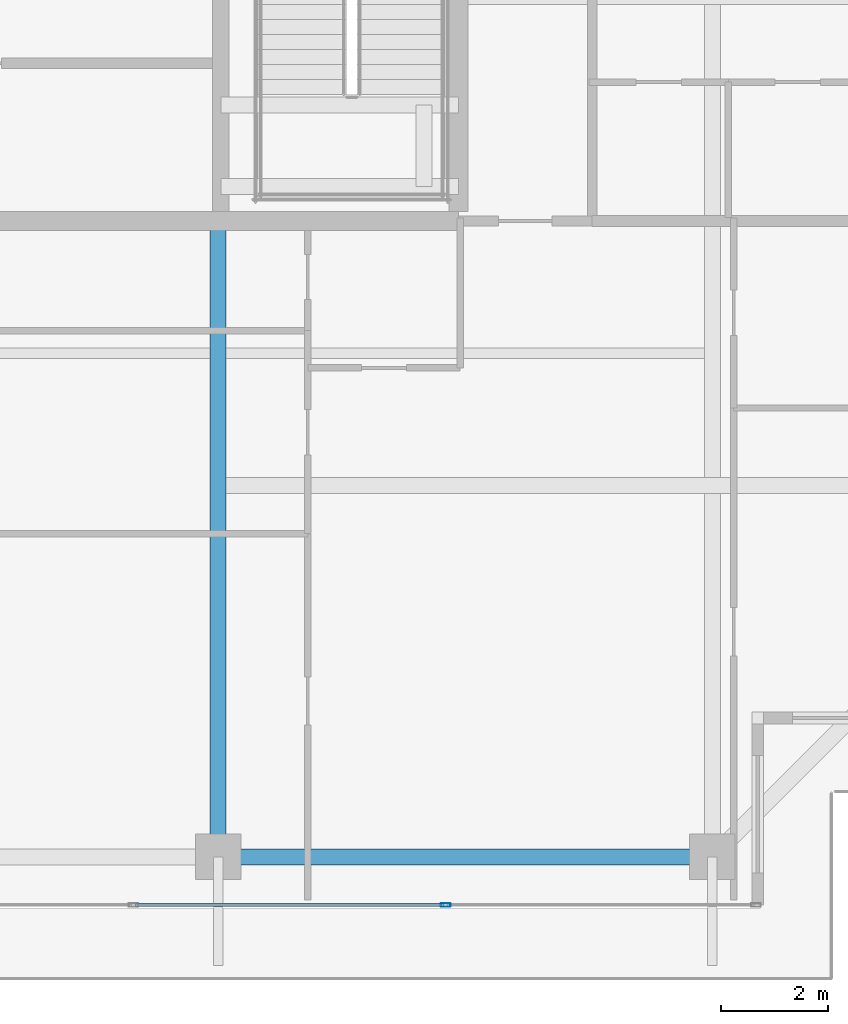
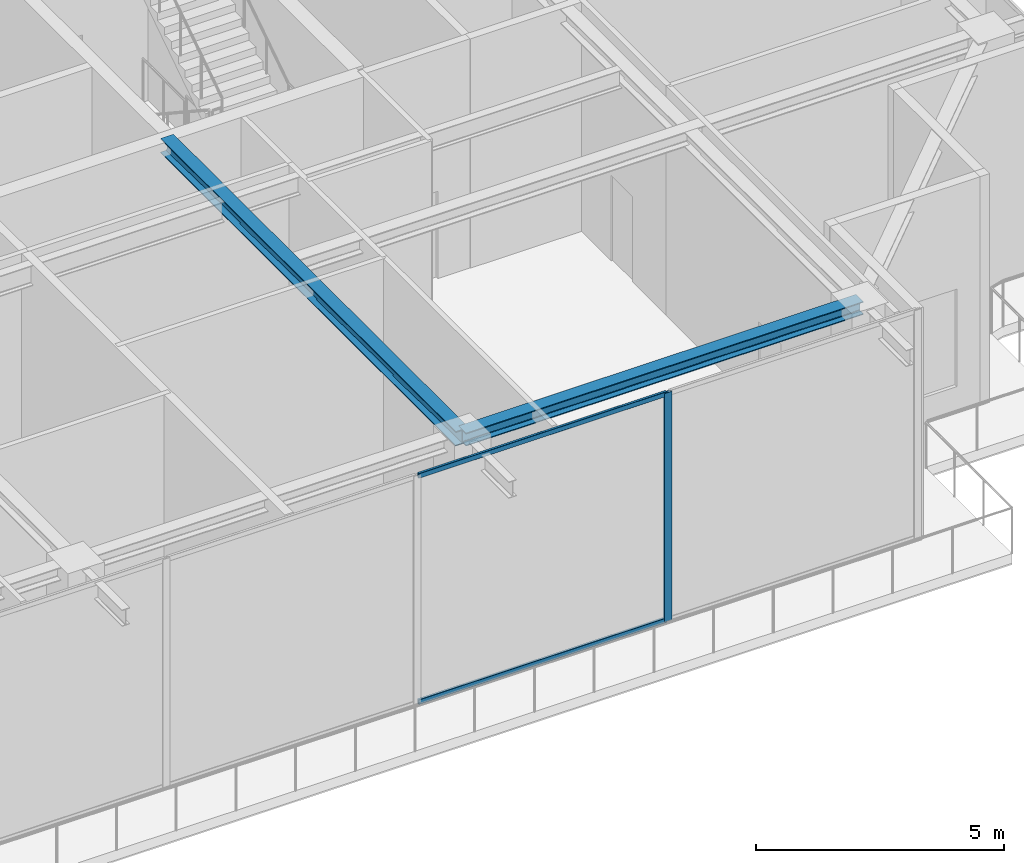
# One storey, part 7 of 40: 3 members, 2 beams, 1 element without a shape of its own.
"""IFC4 building model written with IfcOpenShell, lengths in metres."""

from ifc_helpers import new_model, si_unit, direction, frame, origin, origin_2d, place, context, subcontext, project, spatial, hollow_rectangle, i_section, extrude, source, transform, mapped, material, layer, layer_set, material_profile, profile_set, type_object, element, aggregate, save


model = new_model("IFC4")

# Units and contexts
model_context = context("Model", 3, precision=1e-05, world=origin(), true_north=direction((0.0, 1.0)))
body_context = subcontext(model_context, "Body", "Model", "MODEL_VIEW")
ifc_project = project(units=[si_unit("LENGTHUNIT", "METRE"), si_unit("AREAUNIT", "SQUARE_METRE"), si_unit("VOLUMEUNIT", "CUBIC_METRE"), si_unit("PLANEANGLEUNIT", "RADIAN"), si_unit("MASSUNIT", "GRAM", prefix="KILO")], contexts=[model_context])

# Site, building, storey
site_placement = place(None, origin())
site = spatial("IfcSite", under=ifc_project, at=site_placement, CompositionType="ELEMENT")
building_placement = place(site_placement, origin())
building = spatial("IfcBuilding", under=site, at=building_placement, Name="Serunith Strait Residences", CompositionType="ELEMENT")
storey_placement = place(building_placement, frame((0.0, 0.0, 347.949951171875)))
storey = spatial("IfcBuildingStorey", under=building, at=storey_placement, Name="L86", CompositionType="ELEMENT", Elevation=347.949951171875)

# Beams
ifc_material_1 = material(Name="Steel S355J2", Category="steel")
ifc_material_profile_1 = material_profile(ifc_material_1, i_section(OverallWidth=0.300048828125, OverallDepth=0.360107421875, WebThickness=0.012451171875, FlangeThickness=0.0224609375, FilletRadius=0.027099609375, at=origin_2d()), Name="HEB 360")
ifc_profile_set_1 = profile_set([ifc_material_profile_1], Name="Steel S355J2")
beam_type_1 = type_object("IfcBeamType", Name="BM-HEB360", PredefinedType="BEAM", material=ifc_profile_set_1)
shared_shape_1 = source(origin(), body_context, "Body", "SweptSolid", [
    extrude(i_section(OverallWidth=0.300048828125, OverallDepth=0.360107421875, WebThickness=0.012451171875, FlangeThickness=0.0224609375, FilletRadius=0.027099609375, at=origin_2d()), origin(), (0.0, 0.0, 1.0), 11.900146484375),
])
beam_1_placement = place(storey_placement, frame((36.89990234375, 16.800048828125, 5.45703125), z_axis=(0.0, -1.0, 0.0), x_axis=(1.0, 0.0, 0.0)))
element("IfcBeam", 1, at=beam_1_placement, inside=storey, type_object=beam_type_1, Name="L86 Primary Floor Girder TC-S3", PredefinedType="BEAM", context=body_context, shape_type="MappedRepresentation", body=[
    mapped(shared_shape_1, transform((0.0, 0.0, 0.0), scale=1.0)),
])
ifc_material_profile_2 = material_profile(ifc_material_1, i_section(OverallWidth=0.300048828125, OverallDepth=0.320068359375, WebThickness=0.011474609375, FlangeThickness=0.0205078125, FilletRadius=0.027099609375, at=origin_2d()), Name="HEB 320")
ifc_profile_set_2 = profile_set([ifc_material_profile_2], Name="Steel S355J2")
beam_type_2 = type_object("IfcBeamType", Name="BM-HEB320", PredefinedType="BEAM", material=ifc_profile_set_2)
shared_shape_2 = source(origin(), body_context, "Body", "SweptSolid", [
    extrude(i_section(OverallWidth=0.300048828125, OverallDepth=0.320068359375, WebThickness=0.011474609375, FlangeThickness=0.0205078125, FilletRadius=0.027099609375, at=origin_2d()), origin(), (0.0, 0.0, 1.0), 9.25),
])
beam_2_placement = place(storey_placement, frame((36.89990234375, 4.89990234375, 5.47705078125), z_axis=(1.0, 0.0, 0.0), x_axis=(0.0, 1.0, 0.0)))
element("IfcBeam", 2, at=beam_2_placement, inside=storey, type_object=beam_type_2, Name="L86 Perimeter Ring Beam 03", PredefinedType="BEAM", context=body_context, shape_type="MappedRepresentation", body=[
    mapped(shared_shape_2, transform((0.0, 0.0, 0.0), scale=1.0)),
])

# Curtain wall, members
ifc_material_2 = material(Name="Brushed Stainless-Silver Aluminium", Category="aluminium")
ifc_layer = layer(ifc_material_2, 0.199951171875, Name="Brushed Stainless-Silver Aluminium")
ifc_layer_set = layer_set([ifc_layer], Name="Brushed Stainless-Silver Aluminium")
curtain_wall_type = type_object("IfcCurtainWallType", Name="CW-SYS5", PredefinedType="NOTDEFINED", material=ifc_layer_set)
curtain_wall_placement = place(storey_placement, origin())
curtain_wall = element("IfcCurtainWall", 3, at=curtain_wall_placement, inside=storey, type_object=curtain_wall_type, Name="L86 S Unitised Fritted Curtain Wall", PredefinedType="NOTDEFINED")
ifc_material_profile_3 = material_profile(ifc_material_2, hollow_rectangle(XDim=0.06005859375, YDim=0.1201171875, WallThickness=0.00341796875, InnerFilletRadius=0.00537109375, OuterFilletRadius=0.0087890625, at=origin_2d()), Name="ALU 120x60x3.5")
ifc_profile_set_3 = profile_set([ifc_material_profile_3], Name="Brushed Stainless-Silver Aluminium")
member_type_1 = type_object("IfcMemberType", Name="CW-SYS5-TRAN", PredefinedType="USERDEFINED", material=ifc_profile_set_3)
shared_shape_3 = source(origin(), body_context, "Body", "SweptSolid", [
    extrude(hollow_rectangle(XDim=0.06005859375, YDim=0.1201171875, WallThickness=0.00341796875, InnerFilletRadius=0.00537109375, OuterFilletRadius=0.0087890625, at=origin_2d()), origin(), (0.0, 0.0, 1.0), 5.77490234375),
])
member_1_placement = place(storey_placement, frame((35.3525390625, 4.0, 0.030029296875), z_axis=(1.0, 0.0, 0.0), x_axis=(0.0, 1.0, 0.0)))
member_1 = element("IfcMember", 4, at=member_1_placement, type_object=member_type_1, Name="CW-5 transom 4.1", ObjectType="TRANSOM", PredefinedType="USERDEFINED", context=body_context, shape_type="MappedRepresentation", body=[
    mapped(shared_shape_3, transform((0.0, 0.0, 0.0), scale=1.0)),
])
member_2_placement = place(storey_placement, frame((35.3525390625, 4.0, 5.594970703125), z_axis=(1.0, 0.0, 0.0), x_axis=(0.0, 1.0, 0.0)))
member_2 = element("IfcMember", 5, at=member_2_placement, type_object=member_type_1, Name="CW-5 transom 4.2", ObjectType="TRANSOM", PredefinedType="USERDEFINED", context=body_context, shape_type="MappedRepresentation", body=[
    mapped(shared_shape_3, transform((0.0, 0.0, 0.0), scale=1.0)),
])
ifc_material_profile_4 = material_profile(ifc_material_2, hollow_rectangle(XDim=0.06494140625, YDim=0.179931640625, WallThickness=0.00341796875, InnerFilletRadius=0.00537109375, OuterFilletRadius=0.0087890625, at=origin_2d()), Name="ALU 180x65x3.5")
ifc_profile_set_4 = profile_set([ifc_material_profile_4], Name="Brushed Stainless-Silver Aluminium")
member_type_2 = type_object("IfcMemberType", Name="CW-SYS5-MULL", PredefinedType="MULLION", material=ifc_profile_set_4)
shared_shape_4 = source(origin(), body_context, "Body", "SweptSolid", [
    extrude(hollow_rectangle(XDim=0.06494140625, YDim=0.179931640625, WallThickness=0.00341796875, InnerFilletRadius=0.00537109375, OuterFilletRadius=0.0087890625, at=origin_2d()), origin(), (0.0, 0.0, 1.0), 5.625),
])
member_3_placement = place(storey_placement, frame((41.159912109375, 4.0, 0.0), z_axis=(0.0, 0.0, 1.0), x_axis=(0.0, 1.0, 0.0)))
member_3 = element("IfcMember", 6, at=member_3_placement, type_object=member_type_2, Name="CW-5 mullion 5", PredefinedType="MULLION", context=body_context, shape_type="MappedRepresentation", body=[
    mapped(shared_shape_4, transform((0.0, 0.0, 0.0), scale=1.0)),
])
aggregate(curtain_wall, [member_3, member_1, member_2])

save(model, "model.ifc")
